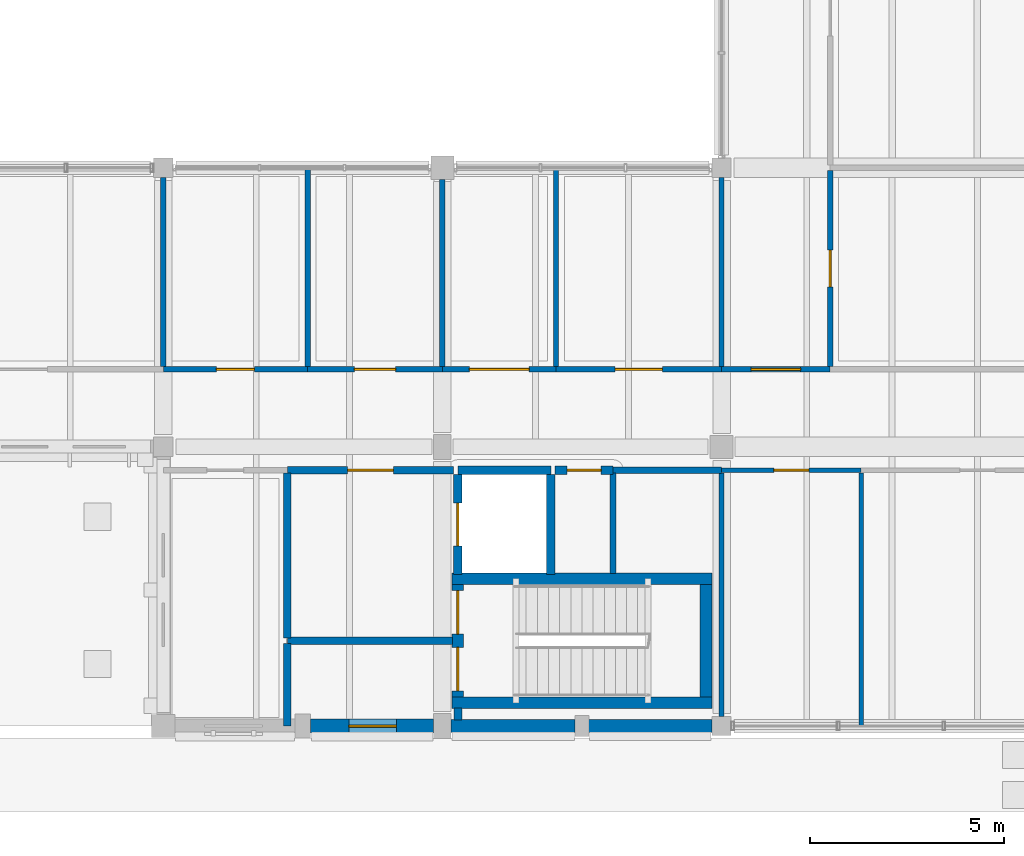
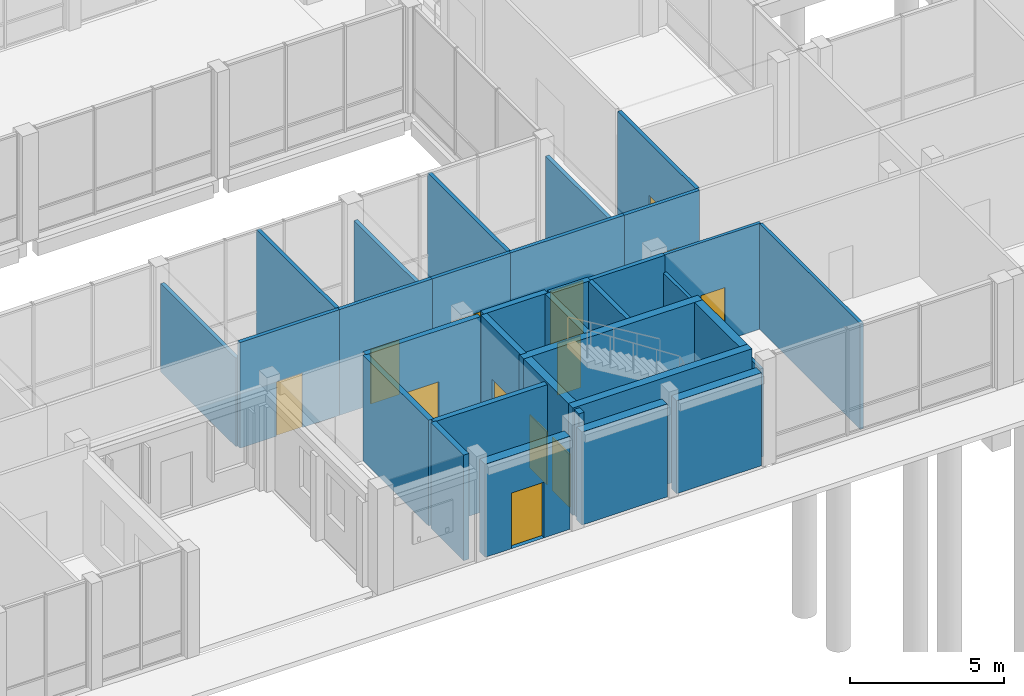
# One storey, part 72 of 104: 32 walls, 13 doors, 13 openings.
"""IFC4 building model written with IfcOpenShell, lengths in metres."""

from ifc_helpers import new_model, si_unit, direction, frame, frame_2d, origin, place, context, subcontext, project, spatial, rectangle, extrude, material, layer, layer_set, type_object, element, fill, save


model = new_model("IFC4")

# Units and contexts
model_context = context("Model", 3, precision=1e-05, world=origin(), true_north=direction((0.0, 1.0)))
body_context = subcontext(model_context, "Body", "Model", "MODEL_VIEW")
ifc_project = project(units=[si_unit("LENGTHUNIT", "METRE"), si_unit("AREAUNIT", "SQUARE_METRE"), si_unit("VOLUMEUNIT", "CUBIC_METRE"), si_unit("PLANEANGLEUNIT", "RADIAN"), si_unit("MASSUNIT", "GRAM", prefix="KILO")], contexts=[model_context])

# Site, building, storey
site_placement = place(None, origin())
site = spatial("IfcSite", under=ifc_project, at=site_placement, CompositionType="ELEMENT")
building_placement = place(site_placement, origin())
building = spatial("IfcBuilding", under=site, at=building_placement, Name="Hawrajan Terrace Health Centre", CompositionType="ELEMENT")
storey_placement = place(building_placement, origin())
storey = spatial("IfcBuildingStorey", under=building, at=storey_placement, Name="L00", CompositionType="ELEMENT", Elevation=0.0)

# Wall
ifc_material_1 = material(Name="Gypsum board on acoustic stud framing")
ifc_layer_1 = layer(ifc_material_1, 0.139892578125)
ifc_layer_set_1 = layer_set([ifc_layer_1], Name="Gypsum board on acoustic stud framing")
wall_type_1 = type_object("IfcWallType", Name="ClinicalAcousticWall_140", PredefinedType="PARTITIONING", material=ifc_layer_set_1)
wall_1_placement = place(storey_placement, frame((47.800048828125, 13.469970703125, 0.0), z_axis=(0.0, 0.0, 1.0), x_axis=(0.0, 1.0, 0.0)))
element("IfcWall", 1, at=wall_1_placement, inside=storey, type_object=wall_type_1, Name="Interior wall IW-L00-0308", PredefinedType="PARTITIONING", context=body_context, shape_type="SweptSolid", body=[
    extrude(rectangle(XDim=4.880126953125, YDim=0.139892578125, at=frame_2d((2.43994140625, 0.0))), origin(), (0.0, 0.0, 1.0), 3.5),
])

# Wall, opening, door
wall_2_placement = place(storey_placement, frame((47.800048828125, 13.39990234375, 0.0), z_axis=(0.0, 0.0, 1.0), x_axis=(1.0, 0.0, 0.0)))
wall_2 = element("IfcWall", 2, at=wall_2_placement, inside=storey, type_object=wall_type_1, Name="Interior wall IW-L00-0309", PredefinedType="PARTITIONING", context=body_context, shape_type="SweptSolid", body=[
    extrude(rectangle(XDim=3.721923828125, YDim=0.139892578125, at=frame_2d((1.86083984375, 0.0))), origin(), (0.0, 0.0, 1.0), 4.179931640625),
])
opening_1_placement = place(wall_2_placement, frame((1.37109375, 0.0, 0.0)))
opening_1 = element("IfcOpeningElement", 3, at=opening_1_placement, cuts=wall_2, Name="Opening D-L00-184", PredefinedType="OPENING", context=body_context, shape_type="SweptSolid", body=[
    extrude(rectangle(XDim=0.97998046875, YDim=2.14990234375, at=frame_2d((0.489990234375, 1.074951171875))), frame((0.0, 0.079833984375, 0.0), z_axis=(0.0, -1.0, 0.0), x_axis=(1.0, 0.0, 0.0)), (0.0, 0.0, 1.0), 0.159912109375),
])
ifc_material_2 = material(Name="Hardwood acoustic clinical door leaf and frame", Category="wood")
door_type_1 = type_object("IfcDoorType", Name="ConsultDoor_980x2150", OperationType="NOTDEFINED", PredefinedType="DOOR", material=ifc_material_2)
door_1_placement = place(opening_1_placement, origin())
door_1 = element("IfcDoor", 4, at=door_1_placement, inside=storey, type_object=door_type_1, Name="Interior door D-L00-184", OperationType="SINGLE_SWING_RIGHT", OverallHeight=2.14990234375, OverallWidth=0.97998046875, PredefinedType="DOOR", context=body_context, shape_type="SweptSolid", body=[
    extrude(rectangle(XDim=0.97998046875, YDim=2.14990234375, at=frame_2d((0.489990234375, 1.074951171875))), frame((0.0, 0.02490234375, 0.0), z_axis=(0.0, -1.0, 0.0), x_axis=(1.0, 0.0, 0.0)), (0.0, 0.0, 1.0), 0.050048828125),
])
fill(opening_1, door_1)

# Wall
wall_3_placement = place(storey_placement, frame((51.52197265625, 13.469970703125, 0.0), z_axis=(0.0, 0.0, 1.0), x_axis=(0.0, 1.0, 0.0)))
element("IfcWall", 5, at=wall_3_placement, inside=storey, type_object=wall_type_1, Name="Interior wall IW-L00-0317", PredefinedType="PARTITIONING", context=body_context, shape_type="SweptSolid", body=[
    extrude(rectangle(XDim=5.130126953125, YDim=0.139892578125, at=frame_2d((2.56494140625, 0.0))), origin(), (0.0, 0.0, 1.0), 4.179931640625),
])

# Wall, opening, door
wall_4_placement = place(storey_placement, frame((51.52197265625, 13.39990234375, 0.0), z_axis=(0.0, 0.0, 1.0), x_axis=(1.0, 0.0, 0.0)))
wall_4 = element("IfcWall", 6, at=wall_4_placement, inside=storey, type_object=wall_type_1, Name="Interior wall IW-L00-0318", PredefinedType="PARTITIONING", context=body_context, shape_type="SweptSolid", body=[
    extrude(rectangle(XDim=3.47802734375, YDim=0.139892578125, at=frame_2d((1.739013671875, 0.0))), origin(), (0.0, 0.0, 1.0), 4.179931640625),
])
opening_2_placement = place(wall_4_placement, frame((1.208984375, 0.0, 0.0)))
opening_2 = element("IfcOpeningElement", 7, at=opening_2_placement, cuts=wall_4, Name="Opening D-L00-185", PredefinedType="OPENING", context=body_context, shape_type="SweptSolid", body=[
    extrude(rectangle(XDim=1.06005859375, YDim=2.14990234375, at=frame_2d((0.530029296875, 1.074951171875))), frame((0.0, 0.079833984375, 0.0), z_axis=(0.0, -1.0, 0.0), x_axis=(1.0, 0.0, 0.0)), (0.0, 0.0, 1.0), 0.159912109375),
])
door_type_2 = type_object("IfcDoorType", Name="MentalHealthDoor_1060x2150", OperationType="NOTDEFINED", PredefinedType="DOOR", material=ifc_material_2)
door_2_placement = place(opening_2_placement, origin())
door_2 = element("IfcDoor", 8, at=door_2_placement, inside=storey, type_object=door_type_2, Name="Interior door D-L00-185", OperationType="SINGLE_SWING_LEFT", OverallHeight=2.14990234375, OverallWidth=1.06005859375, PredefinedType="DOOR", context=body_context, shape_type="SweptSolid", body=[
    extrude(rectangle(XDim=1.06005859375, YDim=2.14990234375, at=frame_2d((0.530029296875, 1.074951171875))), frame((0.0, 0.02490234375, 0.0), z_axis=(0.0, -1.0, 0.0), x_axis=(1.0, 0.0, 0.0)), (0.0, 0.0, 1.0), 0.050048828125),
])
fill(opening_2, door_2)

# Wall
wall_5_placement = place(storey_placement, frame((55.0, 13.469970703125, 0.0), z_axis=(0.0, 0.0, 1.0), x_axis=(0.0, 1.0, 0.0)))
element("IfcWall", 9, at=wall_5_placement, inside=storey, type_object=wall_type_1, Name="Interior wall IW-L00-0321", PredefinedType="PARTITIONING", context=body_context, shape_type="SweptSolid", body=[
    extrude(rectangle(XDim=4.830078125, YDim=0.139892578125, at=frame_2d((2.4150390625, 0.0))), origin(), (0.0, 0.0, 1.0), 3.5),
])

# Wall, opening, door
wall_6_placement = place(storey_placement, frame((55.0, 13.39990234375, 0.0), z_axis=(0.0, 0.0, 1.0), x_axis=(1.0, 0.0, 0.0)))
wall_6 = element("IfcWall", 10, at=wall_6_placement, inside=storey, type_object=wall_type_1, Name="Interior wall IW-L00-0322", PredefinedType="PARTITIONING", context=body_context, shape_type="SweptSolid", body=[
    extrude(rectangle(XDim=2.929931640625, YDim=0.139892578125, at=frame_2d((1.46484375, 0.0))), origin(), (0.0, 0.0, 1.0), 4.179931640625),
])
opening_3_placement = place(wall_6_placement, frame((0.695068359375, 0.0, 0.0)))
opening_3 = element("IfcOpeningElement", 11, at=opening_3_placement, cuts=wall_6, Name="Opening D-L00-186", PredefinedType="OPENING", context=body_context, shape_type="SweptSolid", body=[
    extrude(rectangle(XDim=1.5400390625, YDim=2.25, at=frame_2d((0.77001953125, 1.125))), frame((0.0, 0.079833984375, 0.0), z_axis=(0.0, -1.0, 0.0), x_axis=(1.0, 0.0, 0.0)), (0.0, 0.0, 1.0), 0.159912109375),
])
door_type_3 = type_object("IfcDoorType", Name="RecoveryBayDoor_1540x2250", OperationType="DOUBLE_DOOR_SINGLE_SWING", PredefinedType="DOOR", material=ifc_material_2)
door_3_placement = place(opening_3_placement, origin())
door_3 = element("IfcDoor", 12, at=door_3_placement, inside=storey, type_object=door_type_3, Name="Interior door D-L00-186", OperationType="DOUBLE_DOOR_SINGLE_SWING", OverallHeight=2.25, OverallWidth=1.5400390625, PredefinedType="DOOR", context=body_context, shape_type="SweptSolid", body=[
    extrude(rectangle(XDim=1.5400390625, YDim=2.25, at=frame_2d((0.77001953125, 1.125))), frame((0.0, 0.02490234375, 0.0), z_axis=(0.0, -1.0, 0.0), x_axis=(1.0, 0.0, 0.0)), (0.0, 0.0, 1.0), 0.050048828125),
])
fill(opening_3, door_3)

# Wall
wall_7_placement = place(storey_placement, frame((57.929931640625, 13.469970703125, 0.0), z_axis=(0.0, 0.0, 1.0), x_axis=(0.0, 1.0, 0.0)))
element("IfcWall", 13, at=wall_7_placement, inside=storey, type_object=wall_type_1, Name="Interior wall IW-L00-0327", PredefinedType="PARTITIONING", context=body_context, shape_type="SweptSolid", body=[
    extrude(rectangle(XDim=5.130126953125, YDim=0.139892578125, at=frame_2d((2.56494140625, 0.0))), origin(), (0.0, 0.0, 1.0), 4.179931640625),
])

# Wall, opening, door
wall_8_placement = place(storey_placement, frame((57.929931640625, 13.39990234375, 0.0), z_axis=(0.0, 0.0, 1.0), x_axis=(1.0, 0.0, 0.0)))
wall_8 = element("IfcWall", 14, at=wall_8_placement, inside=storey, type_object=wall_type_1, Name="Interior wall IW-L00-0328", PredefinedType="PARTITIONING", context=body_context, shape_type="SweptSolid", body=[
    extrude(rectangle(XDim=4.27001953125, YDim=0.139892578125, at=frame_2d((2.135009765625, 0.0))), origin(), (0.0, 0.0, 1.0), 4.179931640625),
])
opening_4_placement = place(wall_8_placement, frame((1.52490234375, 0.0, 0.0)))
opening_4 = element("IfcOpeningElement", 15, at=opening_4_placement, cuts=wall_8, Name="Opening D-L00-187", PredefinedType="OPENING", context=body_context, shape_type="SweptSolid", body=[
    extrude(rectangle(XDim=1.219970703125, YDim=2.10009765625, at=frame_2d((0.60986328125, 1.050048828125))), frame((0.0, 0.079833984375, 0.0), z_axis=(0.0, -1.0, 0.0), x_axis=(1.0, 0.0, 0.0)), (0.0, 0.0, 1.0), 0.159912109375),
])
door_type_4 = type_object("IfcDoorType", Name="ConsultDoor_1220x2100", OperationType="NOTDEFINED", PredefinedType="DOOR", material=ifc_material_2)
door_4_placement = place(opening_4_placement, origin())
door_4 = element("IfcDoor", 16, at=door_4_placement, inside=storey, type_object=door_type_4, Name="Interior door D-L00-187", OperationType="SINGLE_SWING_LEFT", OverallHeight=2.10009765625, OverallWidth=1.219970703125, PredefinedType="DOOR", context=body_context, shape_type="SweptSolid", body=[
    extrude(rectangle(XDim=1.219970703125, YDim=2.10009765625, at=frame_2d((0.60986328125, 1.050048828125))), frame((0.0, 0.02490234375, 0.0), z_axis=(0.0, -1.0, 0.0), x_axis=(1.0, 0.0, 0.0)), (0.0, 0.0, 1.0), 0.050048828125),
])
fill(opening_4, door_4)

# Wall
wall_9_placement = place(storey_placement, frame((62.199951171875, 13.469970703125, 0.0), z_axis=(0.0, 0.0, 1.0), x_axis=(0.0, 1.0, 0.0)))
element("IfcWall", 17, at=wall_9_placement, inside=storey, type_object=wall_type_1, Name="Interior wall IW-L00-0334", PredefinedType="PARTITIONING", context=body_context, shape_type="SweptSolid", body=[
    extrude(rectangle(XDim=4.880126953125, YDim=0.139892578125, at=frame_2d((2.43994140625, 0.0))), origin(), (0.0, 0.0, 1.0), 3.5),
])

# Wall, opening, door
wall_10_placement = place(storey_placement, frame((62.199951171875, 13.39990234375, 0.0), z_axis=(0.0, 0.0, 1.0), x_axis=(1.0, 0.0, 0.0)))
wall_10 = element("IfcWall", 18, at=wall_10_placement, inside=storey, type_object=wall_type_1, Name="Interior wall IW-L00-0335", PredefinedType="PARTITIONING", context=body_context, shape_type="SweptSolid", body=[
    extrude(rectangle(XDim=2.800048828125, YDim=0.139892578125, at=frame_2d((1.39990234375, 0.0))), origin(), (0.0, 0.0, 1.0), 4.179931640625),
])
opening_5_placement = place(wall_10_placement, frame((0.760009765625, 0.0, 0.0)))
opening_5 = element("IfcOpeningElement", 19, at=opening_5_placement, cuts=wall_10, Name="Opening D-L00-116", PredefinedType="OPENING", context=body_context, shape_type="SweptSolid", body=[
    extrude(rectangle(XDim=1.280029296875, YDim=2.199951171875, at=frame_2d((0.64013671875, 1.10009765625))), frame((0.0, 0.079833984375, 0.0), z_axis=(0.0, -1.0, 0.0), x_axis=(1.0, 0.0, 0.0)), (0.0, 0.0, 1.0), 0.159912109375),
])
door_type_5 = type_object("IfcDoorType", Name="ExamSuiteDoor_1280x2200", OperationType="NOTDEFINED", PredefinedType="DOOR", material=ifc_material_2)
door_5_placement = place(opening_5_placement, origin())
door_5 = element("IfcDoor", 20, at=door_5_placement, inside=storey, type_object=door_type_5, Name="Interior door D-L00-116", OperationType="SINGLE_SWING_RIGHT", OverallHeight=2.199951171875, OverallWidth=1.280029296875, PredefinedType="DOOR", context=body_context, shape_type="SweptSolid", body=[
    extrude(rectangle(XDim=1.280029296875, YDim=2.199951171875, at=frame_2d((0.64013671875, 1.10009765625))), frame((0.0, 0.02490234375, 0.0), z_axis=(0.0, -1.0, 0.0), x_axis=(1.0, 0.0, 0.0)), (0.0, 0.0, 1.0), 0.050048828125),
])
fill(opening_5, door_5)

wall_11_placement = place(storey_placement, frame((65.0, 13.469970703125, 0.0), z_axis=(0.0, 0.0, 1.0), x_axis=(0.0, 1.0, 0.0)))
wall_11 = element("IfcWall", 21, at=wall_11_placement, inside=storey, type_object=wall_type_1, Name="Interior wall IW-L00-0342", PredefinedType="PARTITIONING", context=body_context, shape_type="SweptSolid", body=[
    extrude(rectangle(XDim=5.06005859375, YDim=0.139892578125, at=frame_2d((2.530029296875, 0.0))), origin(), (0.0, 0.0, 1.0), 4.179931640625),
])
opening_6_placement = place(wall_11_placement, frame((2.054931640625, 0.0, 0.0)))
opening_6 = element("IfcOpeningElement", 22, at=opening_6_placement, cuts=wall_11, Name="Opening D-L00-188", PredefinedType="OPENING", context=body_context, shape_type="SweptSolid", body=[
    extrude(rectangle(XDim=0.949951171875, YDim=2.10009765625, at=frame_2d((0.47509765625, 1.050048828125))), frame((0.0, 0.079833984375, 0.0), z_axis=(0.0, -1.0, 0.0), x_axis=(1.0, 0.0, 0.0)), (0.0, 0.0, 1.0), 0.159912109375),
])
door_type_6 = type_object("IfcDoorType", Name="AccessibleWCDoor_950x2100", OperationType="NOTDEFINED", PredefinedType="DOOR", material=ifc_material_2)
door_6_placement = place(opening_6_placement, origin())
door_6 = element("IfcDoor", 23, at=door_6_placement, inside=storey, type_object=door_type_6, Name="Interior door D-L00-188", OperationType="SINGLE_SWING_RIGHT", OverallHeight=2.10009765625, OverallWidth=0.949951171875, PredefinedType="DOOR", context=body_context, shape_type="SweptSolid", body=[
    extrude(rectangle(XDim=0.949951171875, YDim=2.10009765625, at=frame_2d((0.47509765625, 1.050048828125))), frame((0.0, 0.02490234375, 0.0), z_axis=(0.0, -1.0, 0.0), x_axis=(1.0, 0.0, 0.0)), (0.0, 0.0, 1.0), 0.050048828125),
])
fill(opening_6, door_6)

# Walls
ifc_material_3 = material(Name="Precast concrete C40/50", Category="concrete")
ifc_layer_2 = layer(ifc_material_3, 0.340087890625)
ifc_layer_set_2 = layer_set([ifc_layer_2], Name="Precast concrete C40/50")
wall_type_2 = type_object("IfcWallType", Name="CoralAshlarWall_340", PredefinedType="SOLIDWALL", material=ifc_layer_set_2)
wall_12_placement = place(storey_placement, frame((55.22509765625, 4.199951171875, 0.0), z_axis=(0.0, 0.0, 1.0), x_axis=(1.0, 0.0, 0.0)))
element("IfcWall", 24, at=wall_12_placement, inside=storey, type_object=wall_type_2, Name="Exterior wall EW-L00-H07-00-1", PredefinedType="SOLIDWALL", context=body_context, shape_type="SweptSolid", body=[
    extrude(rectangle(XDim=3.199951171875, YDim=0.340087890625, at=frame_2d((1.60009765625, 0.0))), origin(), (0.0, 0.0, 1.0), 3.679931640625),
])
wall_13_placement = place(storey_placement, frame((58.77490234375, 4.199951171875, 0.0), z_axis=(0.0, 0.0, 1.0), x_axis=(1.0, 0.0, 0.0)))
element("IfcWall", 25, at=wall_13_placement, inside=storey, type_object=wall_type_2, Name="Exterior wall EW-L00-H07-00-2", PredefinedType="SOLIDWALL", context=body_context, shape_type="SweptSolid", body=[
    extrude(rectangle(XDim=3.175048828125, YDim=0.340087890625, at=frame_2d((1.58740234375, 0.0))), origin(), (0.0, 0.0, 1.0), 3.679931640625),
])

# Wall, opening, door
ifc_layer_3 = layer(ifc_material_3, 0.360107421875)
ifc_layer_set_3 = layer_set([ifc_layer_3], Name="Precast concrete C40/50")
wall_type_3 = type_object("IfcWallType", Name="CoralPodiumWall_360", PredefinedType="SOLIDWALL", material=ifc_layer_set_3)
wall_14_placement = place(storey_placement, frame((51.60009765625, 4.199951171875, 0.0), z_axis=(0.0, 0.0, 1.0), x_axis=(1.0, 0.0, 0.0)))
wall_14 = element("IfcWall", 26, at=wall_14_placement, inside=storey, type_object=wall_type_3, Name="Exterior wall EW-L00-H06-00-2", PredefinedType="SOLIDWALL", context=body_context, shape_type="SweptSolid", body=[
    extrude(rectangle(XDim=3.1748046875, YDim=0.360107421875, at=frame_2d((1.58740234375, 0.0))), origin(), (0.0, 0.0, 1.0), 3.679931640625),
])
opening_7_placement = place(wall_14_placement, frame((0.989990234375, 0.0, 0.0)))
opening_7 = element("IfcOpeningElement", 27, at=opening_7_placement, cuts=wall_14, Name="Opening D-L00-E009", PredefinedType="OPENING", context=body_context, shape_type="SweptSolid", body=[
    extrude(rectangle(XDim=1.219970703125, YDim=2.199951171875, at=frame_2d((0.60986328125, 1.10009765625))), frame((0.0, 0.18994140625, 0.0), z_axis=(0.0, -1.0, 0.0), x_axis=(1.0, 0.0, 0.0)), (0.0, 0.0, 1.0), 0.380126953125),
])
ifc_material_4 = material(Name="Anodized bronze thermally broken fire-rated glazed door")
door_type_7 = type_object("IfcDoorType", Name="StairDischargeDoor_1220x2200", OperationType="NOTDEFINED", PredefinedType="DOOR", material=ifc_material_4)
door_7_placement = place(opening_7_placement, frame((1.219970703125, 0.0, 0.0), z_axis=(0.0, 0.0, 1.0), x_axis=(-1.0, 0.0, 0.0)))
door_7 = element("IfcDoor", 28, at=door_7_placement, inside=storey, type_object=door_type_7, Name="Exit Passage C4 Final Exit Door D-L00-E009", OperationType="SINGLE_SWING_LEFT", OverallHeight=2.199951171875, OverallWidth=1.219970703125, PredefinedType="DOOR", context=body_context, shape_type="SweptSolid", body=[
    extrude(rectangle(XDim=1.219970703125, YDim=2.199951171875, at=frame_2d((0.60986328125, 1.10009765625))), frame((0.0, 0.02490234375, 0.0), z_axis=(0.0, -1.0, 0.0), x_axis=(1.0, 0.0, 0.0)), (0.0, 0.0, 1.0), 0.050048828125),
])
fill(opening_7, door_7)

# Walls
ifc_material_5 = material(Name="Concrete C40/50", Category="concrete")
ifc_layer_4 = layer(ifc_material_5, 0.300048828125)
ifc_layer_set_4 = layer_set([ifc_layer_4], Name="Concrete C40/50")
wall_type_4 = type_object("IfcWallType", Name="CoreShearWall_RC300", PredefinedType="SHEAR", material=ifc_layer_set_4)
for number, where, z_axis, x_axis, name in (
    (29, (55.25, 4.800048828125, 0.0), (0.0, 0.0, 1.0), (1.0, 0.0, 0.0), "Core shear wall SW-C4-L00-S"),
    (30, (55.25, 8.0, 0.0), (0.0, 0.0, 1.0), (1.0, 0.0, 0.0), "Core shear wall SW-C4-L00-N"),
):
    element("IfcWall", number, at=place(storey_placement, frame(where, z_axis=z_axis, x_axis=x_axis)), inside=storey, type_object=wall_type_4, Name=name, PredefinedType="SHEAR", context=body_context, shape_type="SweptSolid", body=[
        extrude(rectangle(XDim=6.699951171875, YDim=0.300048828125, at=frame_2d((3.35009765625, 0.0))), origin(), (0.0, 0.0, 1.0), 4.25),
    ])

# Wall, openings, doors
wall_15_placement = place(storey_placement, frame((55.39990234375, 4.949951171875, 0.0), z_axis=(0.0, 0.0, 1.0), x_axis=(0.0, 1.0, 0.0)))
wall_15 = element("IfcWall", 31, at=wall_15_placement, inside=storey, type_object=wall_type_4, Name="Core shear wall SW-C4-L00-W", PredefinedType="SHEAR", context=body_context, shape_type="SweptSolid", body=[
    extrude(rectangle(XDim=2.900146484375, YDim=0.300048828125, at=frame_2d((1.4501953125, 0.0))), origin(), (0.0, 0.0, 1.0), 4.25),
])
opening_8_placement = place(wall_15_placement, frame((0.159912109375, 0.0, 0.0)))
opening_8 = element("IfcOpeningElement", 32, at=opening_8_placement, cuts=wall_15, Name="Opening D-L00-097", PredefinedType="OPENING", context=body_context, shape_type="SweptSolid", body=[
    extrude(rectangle(XDim=1.1201171875, YDim=2.10009765625, at=frame_2d((0.56005859375, 1.050048828125))), frame((0.0, 0.159912109375, 0.0), z_axis=(0.0, -1.0, 0.0), x_axis=(1.0, 0.0, 0.0)), (0.0, 0.0, 1.0), 0.320068359375),
])
opening_9_placement = place(wall_15_placement, frame((1.6201171875, 0.0, 0.0)))
opening_9 = element("IfcOpeningElement", 33, at=opening_9_placement, cuts=wall_15, Name="Opening D-L00-098", PredefinedType="OPENING", context=body_context, shape_type="SweptSolid", body=[
    extrude(rectangle(XDim=1.1201171875, YDim=2.10009765625, at=frame_2d((0.56005859375, 1.050048828125))), frame((0.0, 0.159912109375, 0.0), z_axis=(0.0, -1.0, 0.0), x_axis=(1.0, 0.0, 0.0)), (0.0, 0.0, 1.0), 0.320068359375),
])
ifc_material_6 = material(Name="Timber-veneered acoustic fire-resisting door assembly", Category="wood")
door_type_8 = type_object("IfcDoorType", Name="CoreStairDoor_1120x2100", OperationType="NOTDEFINED", PredefinedType="DOOR", material=ifc_material_6)
door_8_placement = place(opening_8_placement, origin())
door_8 = element("IfcDoor", 34, at=door_8_placement, inside=storey, type_object=door_type_8, Name="Interior door D-L00-097", OperationType="SINGLE_SWING_LEFT", OverallHeight=2.10009765625, OverallWidth=1.1201171875, PredefinedType="DOOR", context=body_context, shape_type="SweptSolid", body=[
    extrude(rectangle(XDim=1.1201171875, YDim=2.10009765625, at=frame_2d((0.56005859375, 1.050048828125))), frame((0.0, 0.02490234375, 0.0), z_axis=(0.0, -1.0, 0.0), x_axis=(1.0, 0.0, 0.0)), (0.0, 0.0, 1.0), 0.050048828125),
])
fill(opening_8, door_8)
door_9_placement = place(opening_9_placement, origin())
door_9 = element("IfcDoor", 35, at=door_9_placement, inside=storey, type_object=door_type_8, Name="Interior door D-L00-098", OperationType="SINGLE_SWING_RIGHT", OverallHeight=2.10009765625, OverallWidth=1.1201171875, PredefinedType="DOOR", context=body_context, shape_type="SweptSolid", body=[
    extrude(rectangle(XDim=1.1201171875, YDim=2.10009765625, at=frame_2d((0.56005859375, 1.050048828125))), frame((0.0, 0.02490234375, 0.0), z_axis=(0.0, -1.0, 0.0), x_axis=(1.0, 0.0, 0.0)), (0.0, 0.0, 1.0), 0.050048828125),
])
fill(opening_9, door_9)

# Walls
wall_16_placement = place(storey_placement, frame((61.800048828125, 4.949951171875, 0.0), z_axis=(0.0, 0.0, 1.0), x_axis=(0.0, 1.0, 0.0)))
element("IfcWall", 36, at=wall_16_placement, inside=storey, type_object=wall_type_4, Name="Core shear wall SW-C4-L00-E", PredefinedType="SHEAR", context=body_context, shape_type="SweptSolid", body=[
    extrude(rectangle(XDim=2.900146484375, YDim=0.300048828125, at=frame_2d((1.4501953125, 0.0))), origin(), (0.0, 0.0, 1.0), 4.25),
])
ifc_layer_5 = layer(ifc_material_1, 0.159912109375)
ifc_layer_set_5 = layer_set([ifc_layer_5], Name="Gypsum board on acoustic stud framing")
wall_type_5 = type_object("IfcWallType", Name="CorridorFireWall_160", PredefinedType="PARTITIONING", material=ifc_layer_set_5)
wall_17_placement = place(storey_placement, frame((59.39990234375, 8.139892578125, 0.0), z_axis=(0.0, 0.0, 1.0), x_axis=(0.0, 1.0, 0.0)))
element("IfcWall", 37, at=wall_17_placement, inside=storey, type_object=wall_type_5, Name="Interior wall IW-L00-0469", PredefinedType="PARTITIONING", context=body_context, shape_type="SweptSolid", body=[
    extrude(rectangle(XDim=2.590087890625, YDim=0.159912109375, at=frame_2d((1.294921875, 0.0))), origin(), (0.0, 0.0, 1.0), 4.179931640625),
])
wall_18_placement = place(storey_placement, frame((59.39990234375, 10.800048828125, 0.0), z_axis=(0.0, 0.0, 1.0), x_axis=(1.0, 0.0, 0.0)))
element("IfcWall", 38, at=wall_18_placement, inside=storey, type_object=wall_type_5, Name="Interior wall IW-L00-0483", PredefinedType="PARTITIONING", context=body_context, shape_type="SweptSolid", body=[
    extrude(rectangle(XDim=2.800048828125, YDim=0.159912109375, at=frame_2d((1.39990234375, 0.0))), origin(), (0.0, 0.0, 1.0), 4.179931640625),
])
ifc_material_7 = material(Name="Cross-laminated timber CLT C24", Category="wood")
ifc_layer_6 = layer(ifc_material_7, 0.199951171875)
ifc_layer_set_6 = layer_set([ifc_layer_6], Name="Cross-laminated timber CLT C24")
wall_type_6 = type_object("IfcWallType", Name="FireCompartmentWall_200", PredefinedType="PARTITIONING", material=ifc_layer_set_6)
wall_19_placement = place(storey_placement, frame((51.0, 4.199951171875, 0.0), z_axis=(0.0, 0.0, 1.0), x_axis=(0.0, 1.0, 0.0)))
element("IfcWall", 39, at=wall_19_placement, inside=storey, type_object=wall_type_6, Name="Interior wall IW-L00-0313", PredefinedType="PARTITIONING", context=body_context, shape_type="SweptSolid", body=[
    extrude(rectangle(XDim=2.130126953125, YDim=0.199951171875, at=frame_2d((1.06494140625, 0.0))), origin(), (0.0, 0.0, 1.0), 4.179931640625),
])
for number, where, z_axis, x_axis, name in (
    (40, (51.0, 6.469970703125, 0.0), (0.0, 0.0, 1.0), (0.0, 1.0, 0.0), "Interior wall IW-L00-0314"),
    (41, (51.0, 6.39990234375, 0.0), (0.0, 0.0, 1.0), (1.0, 0.0, 0.0), "Interior wall IW-L00-0315"),
):
    element("IfcWall", number, at=place(storey_placement, frame(where, z_axis=z_axis, x_axis=x_axis)), inside=storey, type_object=wall_type_6, Name=name, PredefinedType="PARTITIONING", context=body_context, shape_type="SweptSolid", body=[
        extrude(rectangle(XDim=4.260009765625, YDim=0.199951171875, at=frame_2d((2.1298828125, 0.0))), origin(), (0.0, 0.0, 1.0), 4.179931640625),
    ])

# Wall, opening, door
wall_20_placement = place(storey_placement, frame((51.0, 10.800048828125, 0.0), z_axis=(0.0, 0.0, 1.0), x_axis=(1.0, 0.0, 0.0)))
wall_20 = element("IfcWall", 42, at=wall_20_placement, inside=storey, type_object=wall_type_6, Name="Interior wall IW-L00-0316", PredefinedType="PARTITIONING", context=body_context, shape_type="SweptSolid", body=[
    extrude(rectangle(XDim=4.2900390625, YDim=0.199951171875, at=frame_2d((2.14501953125, 0.0))), origin(), (0.0, 0.0, 1.0), 4.179931640625),
])
opening_10_placement = place(wall_20_placement, frame((1.554931640625, 0.0, 0.0)))
opening_10 = element("IfcOpeningElement", 43, at=opening_10_placement, cuts=wall_20, Name="Opening D-L00-106", PredefinedType="OPENING", context=body_context, shape_type="SweptSolid", body=[
    extrude(rectangle(XDim=1.179931640625, YDim=2.14990234375, at=frame_2d((0.58984375, 1.074951171875))), frame((0.0, 0.10986328125, 0.0), z_axis=(0.0, -1.0, 0.0), x_axis=(1.0, 0.0, 0.0)), (0.0, 0.0, 1.0), 0.219970703125),
])
door_type_9 = type_object("IfcDoorType", Name="CoreStairDoor_1180x2150", OperationType="NOTDEFINED", PredefinedType="DOOR", material=ifc_material_6)
door_10_placement = place(opening_10_placement, origin())
door_10 = element("IfcDoor", 44, at=door_10_placement, inside=storey, type_object=door_type_9, Name="Interior door D-L00-106", OperationType="SINGLE_SWING_RIGHT", OverallHeight=2.14990234375, OverallWidth=1.179931640625, PredefinedType="DOOR", context=body_context, shape_type="SweptSolid", body=[
    extrude(rectangle(XDim=1.179931640625, YDim=2.14990234375, at=frame_2d((0.58984375, 1.074951171875))), frame((0.0, 0.02490234375, 0.0), z_axis=(0.0, -1.0, 0.0), x_axis=(1.0, 0.0, 0.0)), (0.0, 0.0, 1.0), 0.050048828125),
])
fill(opening_10, door_10)

# Walls
wall_21_placement = place(storey_placement, frame((55.39990234375, 4.35009765625, 0.0), z_axis=(0.0, 0.0, 1.0), x_axis=(0.0, 1.0, 0.0)))
element("IfcWall", 45, at=wall_21_placement, inside=storey, type_object=wall_type_6, Name="Interior wall IW-L00-0473", PredefinedType="PARTITIONING", context=body_context, shape_type="SweptSolid", body=[
    extrude(rectangle(XDim=0.309814453125, YDim=0.199951171875, at=frame_2d((0.15478515625, 0.0))), origin(), (0.0, 0.0, 1.0), 4.179931640625),
])
ifc_layer_7 = layer(ifc_material_5, 0.219970703125)
ifc_layer_set_7 = layer_set([ifc_layer_7], Name="Concrete C40/50")
wall_type_7 = type_object("IfcWallType", Name="ShaftWall_RC220", PredefinedType="SOLIDWALL", material=ifc_layer_set_7)
wall_22_placement = place(storey_placement, frame((55.39990234375, 10.800048828125, 0.0), z_axis=(0.0, 0.0, 1.0), x_axis=(1.0, 0.0, 0.0)))
element("IfcWall", 46, at=wall_22_placement, inside=storey, type_object=wall_type_7, Name="Lift shaft wall LW-LC-05-L00-N", PredefinedType="SOLIDWALL", context=body_context, shape_type="SweptSolid", body=[
    extrude(rectangle(XDim=2.400146484375, YDim=0.219970703125, at=frame_2d((1.2001953125, 0.0))), origin(), (0.0, 0.0, 1.0), 4.25),
])

# Wall, opening, door
wall_23_placement = place(storey_placement, frame((55.39990234375, 8.110107421875, 0.0), z_axis=(0.0, 0.0, 1.0), x_axis=(0.0, 1.0, 0.0)))
wall_23 = element("IfcWall", 47, at=wall_23_placement, inside=storey, type_object=wall_type_7, Name="Lift shaft wall LW-LC-05-L00-W", PredefinedType="SOLIDWALL", context=body_context, shape_type="SweptSolid", body=[
    extrude(rectangle(XDim=2.579833984375, YDim=0.219970703125, at=frame_2d((1.2900390625, 0.0))), origin(), (0.0, 0.0, 1.0), 4.25),
])
opening_11_placement = place(wall_23_placement, frame((0.739990234375, 0.0, 0.0)))
opening_11 = element("IfcOpeningElement", 48, at=opening_11_placement, cuts=wall_23, Name="Opening LD-L00-LC-05", PredefinedType="OPENING", context=body_context, shape_type="SweptSolid", body=[
    extrude(rectangle(XDim=1.10009765625, YDim=2.14990234375, at=frame_2d((0.550048828125, 1.074951171875))), frame((0.0, 0.119873046875, 0.0), z_axis=(0.0, -1.0, 0.0), x_axis=(1.0, 0.0, 0.0)), (0.0, 0.0, 1.0), 0.239990234375),
])
ifc_material_8 = material(Name="Brushed bronze stainless-steel sliding lift landing door", Category="steel")
door_type_10 = type_object("IfcDoorType", Name="LiftLandingDoor_1100x2150", OperationType="SLIDING_TO_LEFT", PredefinedType="DOOR", material=ifc_material_8)
door_11_placement = place(opening_11_placement, origin())
door_11 = element("IfcDoor", 49, at=door_11_placement, inside=storey, type_object=door_type_10, Name="Lift landing door LD-L00-LC-05", OperationType="SLIDING_TO_LEFT", OverallHeight=2.14990234375, OverallWidth=1.10009765625, PredefinedType="DOOR", context=body_context, shape_type="SweptSolid", body=[
    extrude(rectangle(XDim=1.10009765625, YDim=2.14990234375, at=frame_2d((0.550048828125, 1.074951171875))), frame((0.0, 0.02490234375, 0.0), z_axis=(0.0, -1.0, 0.0), x_axis=(1.0, 0.0, 0.0)), (0.0, 0.0, 1.0), 0.050048828125),
])
fill(opening_11, door_11)

# Wall
wall_24_placement = place(storey_placement, frame((57.800048828125, 8.110107421875, 0.0), z_axis=(0.0, 0.0, 1.0), x_axis=(0.0, 1.0, 0.0)))
element("IfcWall", 50, at=wall_24_placement, inside=storey, type_object=wall_type_7, Name="Lift shaft wall LW-LC-05-L00-E", PredefinedType="SOLIDWALL", context=body_context, shape_type="SweptSolid", body=[
    extrude(rectangle(XDim=2.579833984375, YDim=0.219970703125, at=frame_2d((1.2900390625, 0.0))), origin(), (0.0, 0.0, 1.0), 4.25),
])

# Wall, opening, door
wall_25_placement = place(storey_placement, frame((57.909912109375, 10.800048828125, 0.0), z_axis=(0.0, 0.0, 1.0), x_axis=(1.0, 0.0, 0.0)))
wall_25 = element("IfcWall", 51, at=wall_25_placement, inside=storey, type_object=wall_type_7, Name="Interior wall IW-L00-0326", PredefinedType="SOLIDWALL", context=body_context, shape_type="SweptSolid", body=[
    extrude(rectangle(XDim=1.489990234375, YDim=0.219970703125, at=frame_2d((0.7451171875, 0.0))), origin(), (0.0, 0.0, 1.0), 4.179931640625),
])
opening_12_placement = place(wall_25_placement, frame((0.304931640625, 0.0, 0.0)))
opening_12 = element("IfcOpeningElement", 52, at=opening_12_placement, cuts=wall_25, Name="Opening D-L00-142", PredefinedType="OPENING", context=body_context, shape_type="SweptSolid", body=[
    extrude(rectangle(XDim=0.8798828125, YDim=2.050048828125, at=frame_2d((0.43994140625, 1.02490234375))), frame((0.0, 0.119873046875, 0.0), z_axis=(0.0, -1.0, 0.0), x_axis=(1.0, 0.0, 0.0)), (0.0, 0.0, 1.0), 0.239990234375),
])
door_type_11 = type_object("IfcDoorType", Name="RiserAccessDoor_880x2050", OperationType="NOTDEFINED", PredefinedType="DOOR", material=ifc_material_6)
door_12_placement = place(opening_12_placement, origin())
door_12 = element("IfcDoor", 53, at=door_12_placement, inside=storey, type_object=door_type_11, Name="Service riser access door D-L00-142", OperationType="SINGLE_SWING_RIGHT", OverallHeight=2.050048828125, OverallWidth=0.8798828125, PredefinedType="DOOR", context=body_context, shape_type="SweptSolid", body=[
    extrude(rectangle(XDim=0.8798828125, YDim=2.050048828125, at=frame_2d((0.43994140625, 1.02490234375))), frame((0.0, 0.02490234375, 0.0), z_axis=(0.0, -1.0, 0.0), x_axis=(1.0, 0.0, 0.0)), (0.0, 0.0, 1.0), 0.050048828125),
])
fill(opening_12, door_12)

ifc_material_9 = material(Name="Moisture-resistant board on stud framing")
ifc_layer_8 = layer(ifc_material_9, 0.1201171875)
ifc_layer_set_8 = layer_set([ifc_layer_8], Name="Moisture-resistant board on stud framing")
wall_type_8 = type_object("IfcWallType", Name="WetRoomPartition_120", PredefinedType="PLUMBINGWALL", material=ifc_layer_set_8)
wall_26_placement = place(storey_placement, frame((62.199951171875, 10.800048828125, 0.0), z_axis=(0.0, 0.0, 1.0), x_axis=(1.0, 0.0, 0.0)))
wall_26 = element("IfcWall", 54, at=wall_26_placement, inside=storey, type_object=wall_type_8, Name="Interior wall IW-L00-0333", PredefinedType="PLUMBINGWALL", context=body_context, shape_type="SweptSolid", body=[
    extrude(rectangle(XDim=3.60009765625, YDim=0.1201171875, at=frame_2d((1.800048828125, 0.0))), origin(), (0.0, 0.0, 1.0), 4.179931640625),
])
opening_13_placement = place(wall_26_placement, frame((1.35009765625, 0.0, 0.0)))
opening_13 = element("IfcOpeningElement", 55, at=opening_13_placement, cuts=wall_26, Name="Opening D-L00-146", PredefinedType="OPENING", context=body_context, shape_type="SweptSolid", body=[
    extrude(rectangle(XDim=0.89990234375, YDim=2.10009765625, at=frame_2d((0.449951171875, 1.050048828125))), frame((0.0, 0.070068359375, 0.0), z_axis=(0.0, -1.0, 0.0), x_axis=(1.0, 0.0, 0.0)), (0.0, 0.0, 1.0), 0.14013671875),
])
door_type_12 = type_object("IfcDoorType", Name="PatientWCDoor_900x2100", OperationType="NOTDEFINED", PredefinedType="DOOR", material=ifc_material_2)
door_13_placement = place(opening_13_placement, origin())
door_13 = element("IfcDoor", 56, at=door_13_placement, inside=storey, type_object=door_type_12, Name="Interior door D-L00-146", OperationType="SINGLE_SWING_RIGHT", OverallHeight=2.10009765625, OverallWidth=0.89990234375, PredefinedType="DOOR", context=body_context, shape_type="SweptSolid", body=[
    extrude(rectangle(XDim=0.89990234375, YDim=2.10009765625, at=frame_2d((0.449951171875, 1.050048828125))), frame((0.0, 0.02490234375, 0.0), z_axis=(0.0, -1.0, 0.0), x_axis=(1.0, 0.0, 0.0)), (0.0, 0.0, 1.0), 0.050048828125),
])
fill(opening_13, door_13)

# Walls
wall_27_placement = place(storey_placement, frame((65.800048828125, 4.199951171875, 0.0), z_axis=(0.0, 0.0, 1.0), x_axis=(0.0, 1.0, 0.0)))
element("IfcWall", 57, at=wall_27_placement, inside=storey, type_object=wall_type_8, Name="Interior wall IW-L00-0358", PredefinedType="PLUMBINGWALL", context=body_context, shape_type="SweptSolid", body=[
    extrude(rectangle(XDim=6.530029296875, YDim=0.1201171875, at=frame_2d((3.26513671875, 0.0))), origin(), (0.0, 0.0, 1.0), 4.179931640625),
])
wall_28_placement = place(storey_placement, frame((62.199951171875, 4.449951171875, 0.0), z_axis=(0.0, 0.0, 1.0), x_axis=(0.0, 1.0, 0.0)))
element("IfcWall", 58, at=wall_28_placement, inside=storey, type_object=wall_type_8, Name="Interior wall IW-L00-0494", PredefinedType="PLUMBINGWALL", context=body_context, shape_type="SweptSolid", body=[
    extrude(rectangle(XDim=6.280029296875, YDim=0.1201171875, at=frame_2d((3.14013671875, 0.0))), origin(), (0.0, 0.0, 1.0), 3.5),
])

save(model, "model.ifc")
